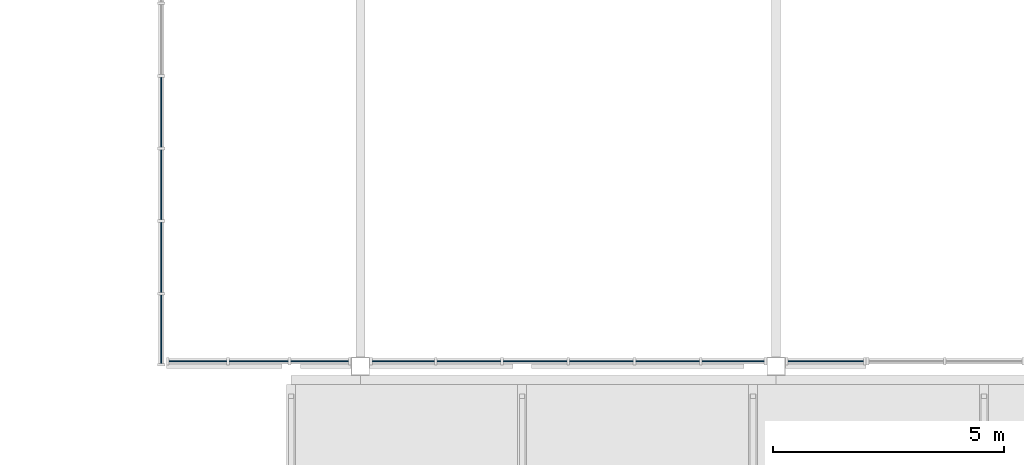
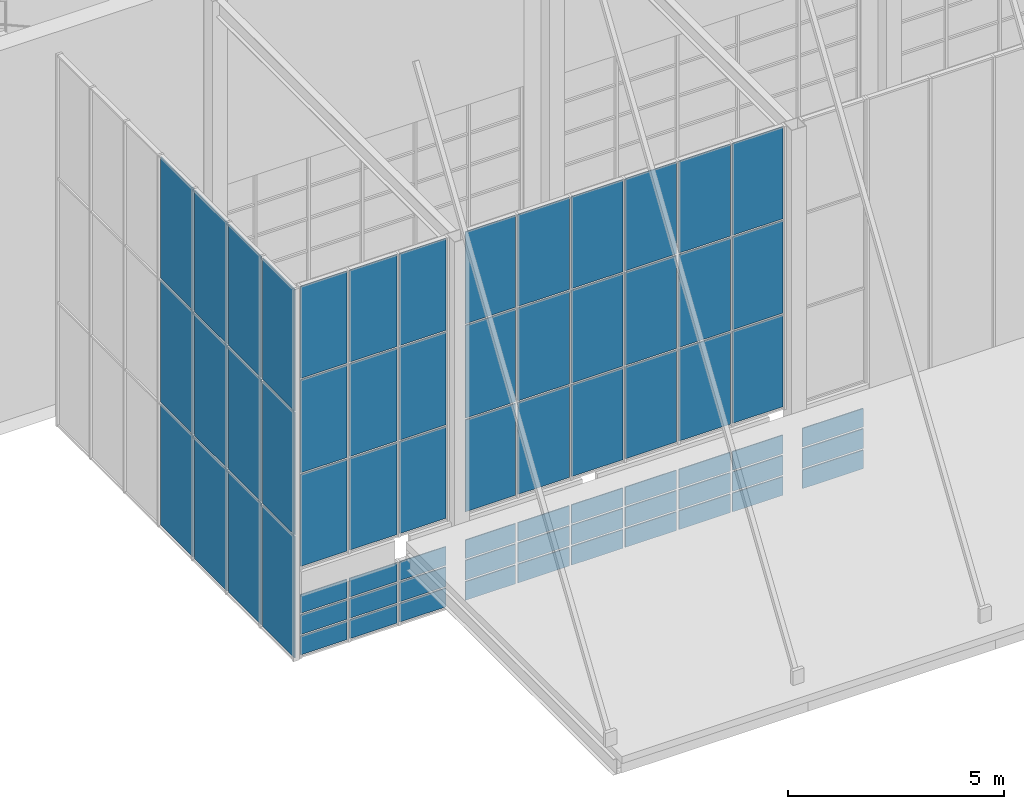
# One storey, part 65 of 182: 69 plates, 6 elements without a shape of their own.
"""IFC4 building model written with IfcOpenShell, lengths in metres."""

from ifc_helpers import new_model, si_unit, direction, frame, origin, origin_2d, place, context, subcontext, project, spatial, rectangle, extrude, material, layer, layer_set, type_object, element, aggregate, save


model = new_model("IFC4")

# Units and contexts
model_context = context("Model", 3, precision=1e-05, world=origin(), true_north=direction((0.0, 1.0)))
body_context = subcontext(model_context, "Body", "Model", "MODEL_VIEW")
ifc_project = project(units=[si_unit("LENGTHUNIT", "METRE"), si_unit("AREAUNIT", "SQUARE_METRE"), si_unit("VOLUMEUNIT", "CUBIC_METRE"), si_unit("PLANEANGLEUNIT", "RADIAN"), si_unit("MASSUNIT", "GRAM", prefix="KILO")], contexts=[model_context])

# Site, building, storey
site_placement = place(None, origin())
site = spatial("IfcSite", under=ifc_project, at=site_placement, CompositionType="ELEMENT")
building_placement = place(site_placement, origin())
building = spatial("IfcBuilding", under=site, at=building_placement, Name="Silverbay Arena", CompositionType="ELEMENT")
storey_placement = place(building_placement, frame((0.0, 0.0, 11.5)))
storey = spatial("IfcBuildingStorey", under=building, at=storey_placement, Name="L02", CompositionType="ELEMENT", Elevation=11.5)

# Curtain wall, plates
ifc_material_1 = material(Name="Aluminium framed curtain wall", Category="aluminium")
curtain_wall_type_1 = type_object("IfcCurtainWallType", Name="Curtain wall 8600 x 1800", PredefinedType="NOTDEFINED", material=ifc_material_1)
curtain_wall_1_placement = place(storey_placement, origin())
curtain_wall_1 = element("IfcCurtainWall", 1, at=curtain_wall_1_placement, inside=storey, type_object=curtain_wall_type_1, Name="South entrance hall S1 glazing F0", PredefinedType="NOTDEFINED")
ifc_material_2 = material(Name="Laminated glass", Category="glass")
ifc_layer = layer(ifc_material_2, 0.028076171875)
ifc_layer_set = layer_set([ifc_layer], Name="Laminated glass")
plate_type = type_object("IfcPlateType", Name="Glass panel 28", PredefinedType="CURTAIN_PANEL", material=ifc_layer_set)
plate_1_placement = place(storey_placement, frame((117.931640625, 5.860107421875, 0.050048828125), z_axis=(0.0, 0.0, 1.0), x_axis=(1.0, 0.0, 0.0)))
plate_1 = element("IfcPlate", 2, at=plate_1_placement, type_object=plate_type, Name="CW25 panel 1.1", PredefinedType="CURTAIN_PANEL", context=body_context, shape_type="SweptSolid", body=[
    extrude(rectangle(XDim=1.34326171875, YDim=0.028076171875, at=origin_2d()), origin(), (0.0, 0.0, 1.0), 0.52490234375),
])
plate_2_placement = place(storey_placement, frame((117.931640625, 5.860107421875, 0.625), z_axis=(0.0, 0.0, 1.0), x_axis=(1.0, 0.0, 0.0)))
plate_2 = element("IfcPlate", 3, at=plate_2_placement, type_object=plate_type, Name="CW25 panel 1.2", PredefinedType="CURTAIN_PANEL", context=body_context, shape_type="SweptSolid", body=[
    extrude(rectangle(XDim=1.34326171875, YDim=0.028076171875, at=origin_2d()), origin(), (0.0, 0.0, 1.0), 0.550048828125),
])
plate_3_placement = place(storey_placement, frame((117.931640625, 5.860107421875, 1.22509765625), z_axis=(0.0, 0.0, 1.0), x_axis=(1.0, 0.0, 0.0)))
plate_3 = element("IfcPlate", 4, at=plate_3_placement, type_object=plate_type, Name="CW25 panel 1.3", PredefinedType="CURTAIN_PANEL", context=body_context, shape_type="SweptSolid", body=[
    extrude(rectangle(XDim=1.34326171875, YDim=0.028076171875, at=origin_2d()), origin(), (0.0, 0.0, 1.0), 0.52490234375),
])
plate_4_placement = place(storey_placement, frame((119.35009765625, 5.860107421875, 0.050048828125), z_axis=(0.0, 0.0, 1.0), x_axis=(1.0, 0.0, 0.0)))
plate_4 = element("IfcPlate", 5, at=plate_4_placement, type_object=plate_type, Name="CW25 panel 2.1", PredefinedType="CURTAIN_PANEL", context=body_context, shape_type="SweptSolid", body=[
    extrude(rectangle(XDim=1.373291015625, YDim=0.028076171875, at=origin_2d()), origin(), (0.0, 0.0, 1.0), 0.52490234375),
])
plate_5_placement = place(storey_placement, frame((119.35009765625, 5.860107421875, 0.625), z_axis=(0.0, 0.0, 1.0), x_axis=(1.0, 0.0, 0.0)))
plate_5 = element("IfcPlate", 6, at=plate_5_placement, type_object=plate_type, Name="CW25 panel 2.2", PredefinedType="CURTAIN_PANEL", context=body_context, shape_type="SweptSolid", body=[
    extrude(rectangle(XDim=1.373291015625, YDim=0.028076171875, at=origin_2d()), origin(), (0.0, 0.0, 1.0), 0.550048828125),
])
plate_6_placement = place(storey_placement, frame((119.35009765625, 5.860107421875, 1.22509765625), z_axis=(0.0, 0.0, 1.0), x_axis=(1.0, 0.0, 0.0)))
plate_6 = element("IfcPlate", 7, at=plate_6_placement, type_object=plate_type, Name="CW25 panel 2.3", PredefinedType="CURTAIN_PANEL", context=body_context, shape_type="SweptSolid", body=[
    extrude(rectangle(XDim=1.373291015625, YDim=0.028076171875, at=origin_2d()), origin(), (0.0, 0.0, 1.0), 0.52490234375),
])
plate_7_placement = place(storey_placement, frame((120.783447265625, 5.860107421875, 0.050048828125), z_axis=(0.0, 0.0, 1.0), x_axis=(1.0, 0.0, 0.0)))
plate_7 = element("IfcPlate", 8, at=plate_7_placement, type_object=plate_type, Name="CW25 panel 3.1", PredefinedType="CURTAIN_PANEL", context=body_context, shape_type="SweptSolid", body=[
    extrude(rectangle(XDim=1.373291015625, YDim=0.028076171875, at=origin_2d()), origin(), (0.0, 0.0, 1.0), 0.52490234375),
])
plate_8_placement = place(storey_placement, frame((120.783447265625, 5.860107421875, 0.625), z_axis=(0.0, 0.0, 1.0), x_axis=(1.0, 0.0, 0.0)))
plate_8 = element("IfcPlate", 9, at=plate_8_placement, type_object=plate_type, Name="CW25 panel 3.2", PredefinedType="CURTAIN_PANEL", context=body_context, shape_type="SweptSolid", body=[
    extrude(rectangle(XDim=1.373291015625, YDim=0.028076171875, at=origin_2d()), origin(), (0.0, 0.0, 1.0), 0.550048828125),
])
plate_9_placement = place(storey_placement, frame((120.783447265625, 5.860107421875, 1.22509765625), z_axis=(0.0, 0.0, 1.0), x_axis=(1.0, 0.0, 0.0)))
plate_9 = element("IfcPlate", 10, at=plate_9_placement, type_object=plate_type, Name="CW25 panel 3.3", PredefinedType="CURTAIN_PANEL", context=body_context, shape_type="SweptSolid", body=[
    extrude(rectangle(XDim=1.373291015625, YDim=0.028076171875, at=origin_2d()), origin(), (0.0, 0.0, 1.0), 0.52490234375),
])
plate_10_placement = place(storey_placement, frame((122.216552734375, 5.860107421875, 0.050048828125), z_axis=(0.0, 0.0, 1.0), x_axis=(1.0, 0.0, 0.0)))
plate_10 = element("IfcPlate", 11, at=plate_10_placement, type_object=plate_type, Name="CW25 panel 4.1", PredefinedType="CURTAIN_PANEL", context=body_context, shape_type="SweptSolid", body=[
    extrude(rectangle(XDim=1.373291015625, YDim=0.028076171875, at=origin_2d()), origin(), (0.0, 0.0, 1.0), 0.52490234375),
])
plate_11_placement = place(storey_placement, frame((122.216552734375, 5.860107421875, 0.625), z_axis=(0.0, 0.0, 1.0), x_axis=(1.0, 0.0, 0.0)))
plate_11 = element("IfcPlate", 12, at=plate_11_placement, type_object=plate_type, Name="CW25 panel 4.2", PredefinedType="CURTAIN_PANEL", context=body_context, shape_type="SweptSolid", body=[
    extrude(rectangle(XDim=1.373291015625, YDim=0.028076171875, at=origin_2d()), origin(), (0.0, 0.0, 1.0), 0.550048828125),
])
plate_12_placement = place(storey_placement, frame((122.216552734375, 5.860107421875, 1.22509765625), z_axis=(0.0, 0.0, 1.0), x_axis=(1.0, 0.0, 0.0)))
plate_12 = element("IfcPlate", 13, at=plate_12_placement, type_object=plate_type, Name="CW25 panel 4.3", PredefinedType="CURTAIN_PANEL", context=body_context, shape_type="SweptSolid", body=[
    extrude(rectangle(XDim=1.373291015625, YDim=0.028076171875, at=origin_2d()), origin(), (0.0, 0.0, 1.0), 0.52490234375),
])
plate_13_placement = place(storey_placement, frame((123.64990234375, 5.860107421875, 0.050048828125), z_axis=(0.0, 0.0, 1.0), x_axis=(1.0, 0.0, 0.0)))
plate_13 = element("IfcPlate", 14, at=plate_13_placement, type_object=plate_type, Name="CW25 panel 5.1", PredefinedType="CURTAIN_PANEL", context=body_context, shape_type="SweptSolid", body=[
    extrude(rectangle(XDim=1.373291015625, YDim=0.028076171875, at=origin_2d()), origin(), (0.0, 0.0, 1.0), 0.52490234375),
])
plate_14_placement = place(storey_placement, frame((123.64990234375, 5.860107421875, 0.625), z_axis=(0.0, 0.0, 1.0), x_axis=(1.0, 0.0, 0.0)))
plate_14 = element("IfcPlate", 15, at=plate_14_placement, type_object=plate_type, Name="CW25 panel 5.2", PredefinedType="CURTAIN_PANEL", context=body_context, shape_type="SweptSolid", body=[
    extrude(rectangle(XDim=1.373291015625, YDim=0.028076171875, at=origin_2d()), origin(), (0.0, 0.0, 1.0), 0.550048828125),
])
plate_15_placement = place(storey_placement, frame((123.64990234375, 5.860107421875, 1.22509765625), z_axis=(0.0, 0.0, 1.0), x_axis=(1.0, 0.0, 0.0)))
plate_15 = element("IfcPlate", 16, at=plate_15_placement, type_object=plate_type, Name="CW25 panel 5.3", PredefinedType="CURTAIN_PANEL", context=body_context, shape_type="SweptSolid", body=[
    extrude(rectangle(XDim=1.373291015625, YDim=0.028076171875, at=origin_2d()), origin(), (0.0, 0.0, 1.0), 0.52490234375),
])
plate_16_placement = place(storey_placement, frame((125.068359375, 5.860107421875, 0.050048828125), z_axis=(0.0, 0.0, 1.0), x_axis=(1.0, 0.0, 0.0)))
plate_16 = element("IfcPlate", 17, at=plate_16_placement, type_object=plate_type, Name="CW25 panel 6.1", PredefinedType="CURTAIN_PANEL", context=body_context, shape_type="SweptSolid", body=[
    extrude(rectangle(XDim=1.34326171875, YDim=0.028076171875, at=origin_2d()), origin(), (0.0, 0.0, 1.0), 0.52490234375),
])
plate_17_placement = place(storey_placement, frame((125.068359375, 5.860107421875, 0.625), z_axis=(0.0, 0.0, 1.0), x_axis=(1.0, 0.0, 0.0)))
plate_17 = element("IfcPlate", 18, at=plate_17_placement, type_object=plate_type, Name="CW25 panel 6.2", PredefinedType="CURTAIN_PANEL", context=body_context, shape_type="SweptSolid", body=[
    extrude(rectangle(XDim=1.34326171875, YDim=0.028076171875, at=origin_2d()), origin(), (0.0, 0.0, 1.0), 0.550048828125),
])
plate_18_placement = place(storey_placement, frame((125.068359375, 5.860107421875, 1.22509765625), z_axis=(0.0, 0.0, 1.0), x_axis=(1.0, 0.0, 0.0)))
plate_18 = element("IfcPlate", 19, at=plate_18_placement, type_object=plate_type, Name="CW25 panel 6.3", PredefinedType="CURTAIN_PANEL", context=body_context, shape_type="SweptSolid", body=[
    extrude(rectangle(XDim=1.34326171875, YDim=0.028076171875, at=origin_2d()), origin(), (0.0, 0.0, 1.0), 0.52490234375),
])
aggregate(curtain_wall_1, [plate_1, plate_2, plate_3, plate_4, plate_5, plate_6, plate_7, plate_8, plate_9, plate_10, plate_11, plate_12, plate_13, plate_14, plate_15, plate_16, plate_17, plate_18])

ifc_material_3 = material(Name="Aluminium framed curtain wall", Category="aluminium")
curtain_wall_type_2 = type_object("IfcCurtainWallType", Name="Curtain wall 8600 x 8000", PredefinedType="NOTDEFINED", material=ifc_material_3)
curtain_wall_2_placement = place(storey_placement, origin())
curtain_wall_2 = element("IfcCurtainWall", 20, at=curtain_wall_2_placement, inside=storey, type_object=curtain_wall_type_2, Name="South entrance hall S1 glazing F0", PredefinedType="NOTDEFINED")
plate_19_placement = place(storey_placement, frame((117.931640625, 5.860107421875, 2.55029296875), z_axis=(0.0, 0.0, 1.0), x_axis=(1.0, 0.0, 0.0)))
plate_19 = element("IfcPlate", 21, at=plate_19_placement, type_object=plate_type, Name="CW26 panel 1.1", PredefinedType="CURTAIN_PANEL", context=body_context, shape_type="SweptSolid", body=[
    extrude(rectangle(XDim=1.34326171875, YDim=0.028076171875, at=origin_2d()), origin(), (0.0, 0.0, 1.0), 2.591552734375),
])
plate_20_placement = place(storey_placement, frame((117.931640625, 5.860107421875, 5.191650390625), z_axis=(0.0, 0.0, 1.0), x_axis=(1.0, 0.0, 0.0)))
plate_20 = element("IfcPlate", 22, at=plate_20_placement, type_object=plate_type, Name="CW26 panel 1.2", PredefinedType="CURTAIN_PANEL", context=body_context, shape_type="SweptSolid", body=[
    extrude(rectangle(XDim=1.34326171875, YDim=0.028076171875, at=origin_2d()), origin(), (0.0, 0.0, 1.0), 2.61669921875),
])
plate_21_placement = place(storey_placement, frame((117.931640625, 5.860107421875, 7.8583984375), z_axis=(0.0, 0.0, 1.0), x_axis=(1.0, 0.0, 0.0)))
plate_21 = element("IfcPlate", 23, at=plate_21_placement, type_object=plate_type, Name="CW26 panel 1.3", PredefinedType="CURTAIN_PANEL", context=body_context, shape_type="SweptSolid", body=[
    extrude(rectangle(XDim=1.34326171875, YDim=0.028076171875, at=origin_2d()), origin(), (0.0, 0.0, 1.0), 2.591552734375),
])
plate_22_placement = place(storey_placement, frame((119.35009765625, 5.860107421875, 2.55029296875), z_axis=(0.0, 0.0, 1.0), x_axis=(1.0, 0.0, 0.0)))
plate_22 = element("IfcPlate", 24, at=plate_22_placement, type_object=plate_type, Name="CW26 panel 2.1", PredefinedType="CURTAIN_PANEL", context=body_context, shape_type="SweptSolid", body=[
    extrude(rectangle(XDim=1.373291015625, YDim=0.028076171875, at=origin_2d()), origin(), (0.0, 0.0, 1.0), 2.591552734375),
])
plate_23_placement = place(storey_placement, frame((119.35009765625, 5.860107421875, 5.191650390625), z_axis=(0.0, 0.0, 1.0), x_axis=(1.0, 0.0, 0.0)))
plate_23 = element("IfcPlate", 25, at=plate_23_placement, type_object=plate_type, Name="CW26 panel 2.2", PredefinedType="CURTAIN_PANEL", context=body_context, shape_type="SweptSolid", body=[
    extrude(rectangle(XDim=1.373291015625, YDim=0.028076171875, at=origin_2d()), origin(), (0.0, 0.0, 1.0), 2.61669921875),
])
plate_24_placement = place(storey_placement, frame((119.35009765625, 5.860107421875, 7.8583984375), z_axis=(0.0, 0.0, 1.0), x_axis=(1.0, 0.0, 0.0)))
plate_24 = element("IfcPlate", 26, at=plate_24_placement, type_object=plate_type, Name="CW26 panel 2.3", PredefinedType="CURTAIN_PANEL", context=body_context, shape_type="SweptSolid", body=[
    extrude(rectangle(XDim=1.373291015625, YDim=0.028076171875, at=origin_2d()), origin(), (0.0, 0.0, 1.0), 2.591552734375),
])
plate_25_placement = place(storey_placement, frame((120.783447265625, 5.860107421875, 2.55029296875), z_axis=(0.0, 0.0, 1.0), x_axis=(1.0, 0.0, 0.0)))
plate_25 = element("IfcPlate", 27, at=plate_25_placement, type_object=plate_type, Name="CW26 panel 3.1", PredefinedType="CURTAIN_PANEL", context=body_context, shape_type="SweptSolid", body=[
    extrude(rectangle(XDim=1.373291015625, YDim=0.028076171875, at=origin_2d()), origin(), (0.0, 0.0, 1.0), 2.591552734375),
])
plate_26_placement = place(storey_placement, frame((120.783447265625, 5.860107421875, 5.191650390625), z_axis=(0.0, 0.0, 1.0), x_axis=(1.0, 0.0, 0.0)))
plate_26 = element("IfcPlate", 28, at=plate_26_placement, type_object=plate_type, Name="CW26 panel 3.2", PredefinedType="CURTAIN_PANEL", context=body_context, shape_type="SweptSolid", body=[
    extrude(rectangle(XDim=1.373291015625, YDim=0.028076171875, at=origin_2d()), origin(), (0.0, 0.0, 1.0), 2.61669921875),
])
plate_27_placement = place(storey_placement, frame((120.783447265625, 5.860107421875, 7.8583984375), z_axis=(0.0, 0.0, 1.0), x_axis=(1.0, 0.0, 0.0)))
plate_27 = element("IfcPlate", 29, at=plate_27_placement, type_object=plate_type, Name="CW26 panel 3.3", PredefinedType="CURTAIN_PANEL", context=body_context, shape_type="SweptSolid", body=[
    extrude(rectangle(XDim=1.373291015625, YDim=0.028076171875, at=origin_2d()), origin(), (0.0, 0.0, 1.0), 2.591552734375),
])
plate_28_placement = place(storey_placement, frame((122.216552734375, 5.860107421875, 2.55029296875), z_axis=(0.0, 0.0, 1.0), x_axis=(1.0, 0.0, 0.0)))
plate_28 = element("IfcPlate", 30, at=plate_28_placement, type_object=plate_type, Name="CW26 panel 4.1", PredefinedType="CURTAIN_PANEL", context=body_context, shape_type="SweptSolid", body=[
    extrude(rectangle(XDim=1.373291015625, YDim=0.028076171875, at=origin_2d()), origin(), (0.0, 0.0, 1.0), 2.591552734375),
])
plate_29_placement = place(storey_placement, frame((122.216552734375, 5.860107421875, 5.191650390625), z_axis=(0.0, 0.0, 1.0), x_axis=(1.0, 0.0, 0.0)))
plate_29 = element("IfcPlate", 31, at=plate_29_placement, type_object=plate_type, Name="CW26 panel 4.2", PredefinedType="CURTAIN_PANEL", context=body_context, shape_type="SweptSolid", body=[
    extrude(rectangle(XDim=1.373291015625, YDim=0.028076171875, at=origin_2d()), origin(), (0.0, 0.0, 1.0), 2.61669921875),
])
plate_30_placement = place(storey_placement, frame((122.216552734375, 5.860107421875, 7.8583984375), z_axis=(0.0, 0.0, 1.0), x_axis=(1.0, 0.0, 0.0)))
plate_30 = element("IfcPlate", 32, at=plate_30_placement, type_object=plate_type, Name="CW26 panel 4.3", PredefinedType="CURTAIN_PANEL", context=body_context, shape_type="SweptSolid", body=[
    extrude(rectangle(XDim=1.373291015625, YDim=0.028076171875, at=origin_2d()), origin(), (0.0, 0.0, 1.0), 2.591552734375),
])
plate_31_placement = place(storey_placement, frame((123.64990234375, 5.860107421875, 2.55029296875), z_axis=(0.0, 0.0, 1.0), x_axis=(1.0, 0.0, 0.0)))
plate_31 = element("IfcPlate", 33, at=plate_31_placement, type_object=plate_type, Name="CW26 panel 5.1", PredefinedType="CURTAIN_PANEL", context=body_context, shape_type="SweptSolid", body=[
    extrude(rectangle(XDim=1.373291015625, YDim=0.028076171875, at=origin_2d()), origin(), (0.0, 0.0, 1.0), 2.591552734375),
])
plate_32_placement = place(storey_placement, frame((123.64990234375, 5.860107421875, 5.191650390625), z_axis=(0.0, 0.0, 1.0), x_axis=(1.0, 0.0, 0.0)))
plate_32 = element("IfcPlate", 34, at=plate_32_placement, type_object=plate_type, Name="CW26 panel 5.2", PredefinedType="CURTAIN_PANEL", context=body_context, shape_type="SweptSolid", body=[
    extrude(rectangle(XDim=1.373291015625, YDim=0.028076171875, at=origin_2d()), origin(), (0.0, 0.0, 1.0), 2.61669921875),
])
plate_33_placement = place(storey_placement, frame((123.64990234375, 5.860107421875, 7.8583984375), z_axis=(0.0, 0.0, 1.0), x_axis=(1.0, 0.0, 0.0)))
plate_33 = element("IfcPlate", 35, at=plate_33_placement, type_object=plate_type, Name="CW26 panel 5.3", PredefinedType="CURTAIN_PANEL", context=body_context, shape_type="SweptSolid", body=[
    extrude(rectangle(XDim=1.373291015625, YDim=0.028076171875, at=origin_2d()), origin(), (0.0, 0.0, 1.0), 2.591552734375),
])
plate_34_placement = place(storey_placement, frame((125.068359375, 5.860107421875, 2.55029296875), z_axis=(0.0, 0.0, 1.0), x_axis=(1.0, 0.0, 0.0)))
plate_34 = element("IfcPlate", 36, at=plate_34_placement, type_object=plate_type, Name="CW26 panel 6.1", PredefinedType="CURTAIN_PANEL", context=body_context, shape_type="SweptSolid", body=[
    extrude(rectangle(XDim=1.34326171875, YDim=0.028076171875, at=origin_2d()), origin(), (0.0, 0.0, 1.0), 2.591552734375),
])
plate_35_placement = place(storey_placement, frame((125.068359375, 5.860107421875, 5.191650390625), z_axis=(0.0, 0.0, 1.0), x_axis=(1.0, 0.0, 0.0)))
plate_35 = element("IfcPlate", 37, at=plate_35_placement, type_object=plate_type, Name="CW26 panel 6.2", PredefinedType="CURTAIN_PANEL", context=body_context, shape_type="SweptSolid", body=[
    extrude(rectangle(XDim=1.34326171875, YDim=0.028076171875, at=origin_2d()), origin(), (0.0, 0.0, 1.0), 2.61669921875),
])
plate_36_placement = place(storey_placement, frame((125.068359375, 5.860107421875, 7.8583984375), z_axis=(0.0, 0.0, 1.0), x_axis=(1.0, 0.0, 0.0)))
plate_36 = element("IfcPlate", 38, at=plate_36_placement, type_object=plate_type, Name="CW26 panel 6.3", PredefinedType="CURTAIN_PANEL", context=body_context, shape_type="SweptSolid", body=[
    extrude(rectangle(XDim=1.34326171875, YDim=0.028076171875, at=origin_2d()), origin(), (0.0, 0.0, 1.0), 2.591552734375),
])
aggregate(curtain_wall_2, [plate_19, plate_20, plate_21, plate_22, plate_23, plate_24, plate_25, plate_26, plate_27, plate_28, plate_29, plate_30, plate_31, plate_32, plate_33, plate_34, plate_35, plate_36])

ifc_material_4 = material(Name="Aluminium framed curtain wall", Category="aluminium")
curtain_wall_type_3 = type_object("IfcCurtainWallType", Name="Curtain wall 1750 x 1800", PredefinedType="NOTDEFINED", material=ifc_material_4)
curtain_wall_3_placement = place(storey_placement, origin())
curtain_wall_3 = element("IfcCurtainWall", 39, at=curtain_wall_3_placement, inside=storey, type_object=curtain_wall_type_3, Name="South entrance hall S1 glazing F1a", PredefinedType="NOTDEFINED")
plate_37_placement = place(storey_placement, frame((127.074951171875, 5.860107421875, 0.050048828125), z_axis=(0.0, 0.0, 1.0), x_axis=(1.0, 0.0, 0.0)))
plate_37 = element("IfcPlate", 40, at=plate_37_placement, type_object=plate_type, Name="CW29 panel 1.1", PredefinedType="CURTAIN_PANEL", context=body_context, shape_type="SweptSolid", body=[
    extrude(rectangle(XDim=1.6298828125, YDim=0.028076171875, at=origin_2d()), origin(), (0.0, 0.0, 1.0), 0.52490234375),
])
plate_38_placement = place(storey_placement, frame((127.074951171875, 5.860107421875, 0.625), z_axis=(0.0, 0.0, 1.0), x_axis=(1.0, 0.0, 0.0)))
plate_38 = element("IfcPlate", 41, at=plate_38_placement, type_object=plate_type, Name="CW29 panel 1.2", PredefinedType="CURTAIN_PANEL", context=body_context, shape_type="SweptSolid", body=[
    extrude(rectangle(XDim=1.6298828125, YDim=0.028076171875, at=origin_2d()), origin(), (0.0, 0.0, 1.0), 0.550048828125),
])
plate_39_placement = place(storey_placement, frame((127.074951171875, 5.860107421875, 1.22509765625), z_axis=(0.0, 0.0, 1.0), x_axis=(1.0, 0.0, 0.0)))
plate_39 = element("IfcPlate", 42, at=plate_39_placement, type_object=plate_type, Name="CW29 panel 1.3", PredefinedType="CURTAIN_PANEL", context=body_context, shape_type="SweptSolid", body=[
    extrude(rectangle(XDim=1.6298828125, YDim=0.028076171875, at=origin_2d()), origin(), (0.0, 0.0, 1.0), 0.52490234375),
])
aggregate(curtain_wall_3, [plate_37, plate_38, plate_39])

ifc_material_5 = material(Name="Aluminium framed curtain wall", Category="aluminium")
curtain_wall_type_4 = type_object("IfcCurtainWallType", Name="Curtain wall 4000 x 1800", PredefinedType="NOTDEFINED", material=ifc_material_5)
curtain_wall_4_placement = place(storey_placement, origin())
curtain_wall_4 = element("IfcCurtainWall", 43, at=curtain_wall_4_placement, inside=storey, type_object=curtain_wall_type_4, Name="South entrance hall S1 glazing F-a", PredefinedType="NOTDEFINED")
plate_40_placement = place(storey_placement, frame((113.481689453125, 5.860107421875, 0.050048828125), z_axis=(0.0, 0.0, 1.0), x_axis=(1.0, 0.0, 0.0)))
plate_40 = element("IfcPlate", 44, at=plate_40_placement, type_object=plate_type, Name="CW33 panel 1.1", PredefinedType="CURTAIN_PANEL", context=body_context, shape_type="SweptSolid", body=[
    extrude(rectangle(XDim=1.243408203125, YDim=0.028076171875, at=origin_2d()), origin(), (0.0, 0.0, 1.0), 0.52490234375),
])
plate_41_placement = place(storey_placement, frame((113.481689453125, 5.860107421875, 0.625), z_axis=(0.0, 0.0, 1.0), x_axis=(1.0, 0.0, 0.0)))
plate_41 = element("IfcPlate", 45, at=plate_41_placement, type_object=plate_type, Name="CW33 panel 1.2", PredefinedType="CURTAIN_PANEL", context=body_context, shape_type="SweptSolid", body=[
    extrude(rectangle(XDim=1.243408203125, YDim=0.028076171875, at=origin_2d()), origin(), (0.0, 0.0, 1.0), 0.550048828125),
])
plate_42_placement = place(storey_placement, frame((113.481689453125, 5.860107421875, 1.22509765625), z_axis=(0.0, 0.0, 1.0), x_axis=(1.0, 0.0, 0.0)))
plate_42 = element("IfcPlate", 46, at=plate_42_placement, type_object=plate_type, Name="CW33 panel 1.3", PredefinedType="CURTAIN_PANEL", context=body_context, shape_type="SweptSolid", body=[
    extrude(rectangle(XDim=1.243408203125, YDim=0.028076171875, at=origin_2d()), origin(), (0.0, 0.0, 1.0), 0.52490234375),
])
plate_43_placement = place(storey_placement, frame((114.800048828125, 5.860107421875, 0.050048828125), z_axis=(0.0, 0.0, 1.0), x_axis=(1.0, 0.0, 0.0)))
plate_43 = element("IfcPlate", 47, at=plate_43_placement, type_object=plate_type, Name="CW33 panel 2.1", PredefinedType="CURTAIN_PANEL", context=body_context, shape_type="SweptSolid", body=[
    extrude(rectangle(XDim=1.2734375, YDim=0.028076171875, at=origin_2d()), origin(), (0.0, 0.0, 1.0), 0.52490234375),
])
plate_44_placement = place(storey_placement, frame((114.800048828125, 5.860107421875, 0.625), z_axis=(0.0, 0.0, 1.0), x_axis=(1.0, 0.0, 0.0)))
plate_44 = element("IfcPlate", 48, at=plate_44_placement, type_object=plate_type, Name="CW33 panel 2.2", PredefinedType="CURTAIN_PANEL", context=body_context, shape_type="SweptSolid", body=[
    extrude(rectangle(XDim=1.2734375, YDim=0.028076171875, at=origin_2d()), origin(), (0.0, 0.0, 1.0), 0.550048828125),
])
plate_45_placement = place(storey_placement, frame((114.800048828125, 5.860107421875, 1.22509765625), z_axis=(0.0, 0.0, 1.0), x_axis=(1.0, 0.0, 0.0)))
plate_45 = element("IfcPlate", 49, at=plate_45_placement, type_object=plate_type, Name="CW33 panel 2.3", PredefinedType="CURTAIN_PANEL", context=body_context, shape_type="SweptSolid", body=[
    extrude(rectangle(XDim=1.2734375, YDim=0.028076171875, at=origin_2d()), origin(), (0.0, 0.0, 1.0), 0.52490234375),
])
plate_46_placement = place(storey_placement, frame((116.118408203125, 5.860107421875, 0.050048828125), z_axis=(0.0, 0.0, 1.0), x_axis=(1.0, 0.0, 0.0)))
plate_46 = element("IfcPlate", 50, at=plate_46_placement, type_object=plate_type, Name="CW33 panel 3.1", PredefinedType="CURTAIN_PANEL", context=body_context, shape_type="SweptSolid", body=[
    extrude(rectangle(XDim=1.243408203125, YDim=0.028076171875, at=origin_2d()), origin(), (0.0, 0.0, 1.0), 0.52490234375),
])
plate_47_placement = place(storey_placement, frame((116.118408203125, 5.860107421875, 0.625), z_axis=(0.0, 0.0, 1.0), x_axis=(1.0, 0.0, 0.0)))
plate_47 = element("IfcPlate", 51, at=plate_47_placement, type_object=plate_type, Name="CW33 panel 3.2", PredefinedType="CURTAIN_PANEL", context=body_context, shape_type="SweptSolid", body=[
    extrude(rectangle(XDim=1.243408203125, YDim=0.028076171875, at=origin_2d()), origin(), (0.0, 0.0, 1.0), 0.550048828125),
])
plate_48_placement = place(storey_placement, frame((116.118408203125, 5.860107421875, 1.22509765625), z_axis=(0.0, 0.0, 1.0), x_axis=(1.0, 0.0, 0.0)))
plate_48 = element("IfcPlate", 52, at=plate_48_placement, type_object=plate_type, Name="CW33 panel 3.3", PredefinedType="CURTAIN_PANEL", context=body_context, shape_type="SweptSolid", body=[
    extrude(rectangle(XDim=1.243408203125, YDim=0.028076171875, at=origin_2d()), origin(), (0.0, 0.0, 1.0), 0.52490234375),
])
aggregate(curtain_wall_4, [plate_40, plate_41, plate_42, plate_43, plate_44, plate_45, plate_46, plate_47, plate_48])

ifc_material_6 = material(Name="Aluminium framed curtain wall", Category="aluminium")
curtain_wall_type_5 = type_object("IfcCurtainWallType", Name="Curtain wall 4000 x 8000", PredefinedType="NOTDEFINED", material=ifc_material_6)
curtain_wall_5_placement = place(storey_placement, origin())
curtain_wall_5 = element("IfcCurtainWall", 53, at=curtain_wall_5_placement, inside=storey, type_object=curtain_wall_type_5, Name="South entrance hall S1 glazing F-a", PredefinedType="NOTDEFINED")
plate_49_placement = place(storey_placement, frame((113.481689453125, 5.860107421875, 2.55029296875), z_axis=(0.0, 0.0, 1.0), x_axis=(1.0, 0.0, 0.0)))
plate_49 = element("IfcPlate", 54, at=plate_49_placement, type_object=plate_type, Name="CW34 panel 1.1", PredefinedType="CURTAIN_PANEL", context=body_context, shape_type="SweptSolid", body=[
    extrude(rectangle(XDim=1.243408203125, YDim=0.028076171875, at=origin_2d()), origin(), (0.0, 0.0, 1.0), 2.591552734375),
])
plate_50_placement = place(storey_placement, frame((113.481689453125, 5.860107421875, 5.191650390625), z_axis=(0.0, 0.0, 1.0), x_axis=(1.0, 0.0, 0.0)))
plate_50 = element("IfcPlate", 55, at=plate_50_placement, type_object=plate_type, Name="CW34 panel 1.2", PredefinedType="CURTAIN_PANEL", context=body_context, shape_type="SweptSolid", body=[
    extrude(rectangle(XDim=1.243408203125, YDim=0.028076171875, at=origin_2d()), origin(), (0.0, 0.0, 1.0), 2.61669921875),
])
plate_51_placement = place(storey_placement, frame((113.481689453125, 5.860107421875, 7.8583984375), z_axis=(0.0, 0.0, 1.0), x_axis=(1.0, 0.0, 0.0)))
plate_51 = element("IfcPlate", 56, at=plate_51_placement, type_object=plate_type, Name="CW34 panel 1.3", PredefinedType="CURTAIN_PANEL", context=body_context, shape_type="SweptSolid", body=[
    extrude(rectangle(XDim=1.243408203125, YDim=0.028076171875, at=origin_2d()), origin(), (0.0, 0.0, 1.0), 2.591552734375),
])
plate_52_placement = place(storey_placement, frame((114.800048828125, 5.860107421875, 2.55029296875), z_axis=(0.0, 0.0, 1.0), x_axis=(1.0, 0.0, 0.0)))
plate_52 = element("IfcPlate", 57, at=plate_52_placement, type_object=plate_type, Name="CW34 panel 2.1", PredefinedType="CURTAIN_PANEL", context=body_context, shape_type="SweptSolid", body=[
    extrude(rectangle(XDim=1.2734375, YDim=0.028076171875, at=origin_2d()), origin(), (0.0, 0.0, 1.0), 2.591552734375),
])
plate_53_placement = place(storey_placement, frame((114.800048828125, 5.860107421875, 5.191650390625), z_axis=(0.0, 0.0, 1.0), x_axis=(1.0, 0.0, 0.0)))
plate_53 = element("IfcPlate", 58, at=plate_53_placement, type_object=plate_type, Name="CW34 panel 2.2", PredefinedType="CURTAIN_PANEL", context=body_context, shape_type="SweptSolid", body=[
    extrude(rectangle(XDim=1.2734375, YDim=0.028076171875, at=origin_2d()), origin(), (0.0, 0.0, 1.0), 2.61669921875),
])
plate_54_placement = place(storey_placement, frame((114.800048828125, 5.860107421875, 7.8583984375), z_axis=(0.0, 0.0, 1.0), x_axis=(1.0, 0.0, 0.0)))
plate_54 = element("IfcPlate", 59, at=plate_54_placement, type_object=plate_type, Name="CW34 panel 2.3", PredefinedType="CURTAIN_PANEL", context=body_context, shape_type="SweptSolid", body=[
    extrude(rectangle(XDim=1.2734375, YDim=0.028076171875, at=origin_2d()), origin(), (0.0, 0.0, 1.0), 2.591552734375),
])
plate_55_placement = place(storey_placement, frame((116.118408203125, 5.860107421875, 2.55029296875), z_axis=(0.0, 0.0, 1.0), x_axis=(1.0, 0.0, 0.0)))
plate_55 = element("IfcPlate", 60, at=plate_55_placement, type_object=plate_type, Name="CW34 panel 3.1", PredefinedType="CURTAIN_PANEL", context=body_context, shape_type="SweptSolid", body=[
    extrude(rectangle(XDim=1.243408203125, YDim=0.028076171875, at=origin_2d()), origin(), (0.0, 0.0, 1.0), 2.591552734375),
])
plate_56_placement = place(storey_placement, frame((116.118408203125, 5.860107421875, 5.191650390625), z_axis=(0.0, 0.0, 1.0), x_axis=(1.0, 0.0, 0.0)))
plate_56 = element("IfcPlate", 61, at=plate_56_placement, type_object=plate_type, Name="CW34 panel 3.2", PredefinedType="CURTAIN_PANEL", context=body_context, shape_type="SweptSolid", body=[
    extrude(rectangle(XDim=1.243408203125, YDim=0.028076171875, at=origin_2d()), origin(), (0.0, 0.0, 1.0), 2.61669921875),
])
plate_57_placement = place(storey_placement, frame((116.118408203125, 5.860107421875, 7.8583984375), z_axis=(0.0, 0.0, 1.0), x_axis=(1.0, 0.0, 0.0)))
plate_57 = element("IfcPlate", 62, at=plate_57_placement, type_object=plate_type, Name="CW34 panel 3.3", PredefinedType="CURTAIN_PANEL", context=body_context, shape_type="SweptSolid", body=[
    extrude(rectangle(XDim=1.243408203125, YDim=0.028076171875, at=origin_2d()), origin(), (0.0, 0.0, 1.0), 2.591552734375),
])
aggregate(curtain_wall_5, [plate_49, plate_50, plate_51, plate_52, plate_53, plate_54, plate_55, plate_56, plate_57])

ifc_material_7 = material(Name="Aluminium framed curtain wall", Category="aluminium")
curtain_wall_type_6 = type_object("IfcCurtainWallType", Name="Curtain wall 11000 x 10500", PredefinedType="NOTDEFINED", material=ifc_material_7)
curtain_wall_6_placement = place(storey_placement, origin())
curtain_wall_6 = element("IfcCurtainWall", 63, at=curtain_wall_6_placement, inside=storey, type_object=curtain_wall_type_6, Name="South entrance hall S1 glazing SA", PredefinedType="NOTDEFINED")
plate_58_placement = place(storey_placement, frame((112.68994140625, 6.55078125, 0.0498046875), z_axis=(0.0, 0.0, 1.0), x_axis=(0.0, 1.0, 0.0)))
plate_58 = element("IfcPlate", 64, at=plate_58_placement, type_object=plate_type, Name="CW37 panel 1.1", PredefinedType="CURTAIN_PANEL", context=body_context, shape_type="SweptSolid", body=[
    extrude(rectangle(XDim=1.4814453125, YDim=0.028076171875, at=origin_2d()), origin(), (0.0, 0.0, 1.0), 3.425048828125),
])
plate_59_placement = place(storey_placement, frame((112.68994140625, 6.55078125, 3.52490234375), z_axis=(0.0, 0.0, 1.0), x_axis=(0.0, 1.0, 0.0)))
plate_59 = element("IfcPlate", 65, at=plate_59_placement, type_object=plate_type, Name="CW37 panel 1.2", PredefinedType="CURTAIN_PANEL", context=body_context, shape_type="SweptSolid", body=[
    extrude(rectangle(XDim=1.4814453125, YDim=0.028076171875, at=origin_2d()), origin(), (0.0, 0.0, 1.0), 3.449951171875),
])
plate_60_placement = place(storey_placement, frame((112.68994140625, 6.55078125, 7.02490234375), z_axis=(0.0, 0.0, 1.0), x_axis=(0.0, 1.0, 0.0)))
plate_60 = element("IfcPlate", 66, at=plate_60_placement, type_object=plate_type, Name="CW37 panel 1.3", PredefinedType="CURTAIN_PANEL", context=body_context, shape_type="SweptSolid", body=[
    extrude(rectangle(XDim=1.4814453125, YDim=0.028076171875, at=origin_2d()), origin(), (0.0, 0.0, 1.0), 3.425048828125),
])
plate_61_placement = place(storey_placement, frame((112.68994140625, 8.107177734375, 0.0498046875), z_axis=(0.0, 0.0, 1.0), x_axis=(0.0, 1.0, 0.0)))
plate_61 = element("IfcPlate", 67, at=plate_61_placement, type_object=plate_type, Name="CW37 panel 2.1", PredefinedType="CURTAIN_PANEL", context=body_context, shape_type="SweptSolid", body=[
    extrude(rectangle(XDim=1.511474609375, YDim=0.028076171875, at=origin_2d()), origin(), (0.0, 0.0, 1.0), 3.425048828125),
])
plate_62_placement = place(storey_placement, frame((112.68994140625, 8.107177734375, 3.52490234375), z_axis=(0.0, 0.0, 1.0), x_axis=(0.0, 1.0, 0.0)))
plate_62 = element("IfcPlate", 68, at=plate_62_placement, type_object=plate_type, Name="CW37 panel 2.2", PredefinedType="CURTAIN_PANEL", context=body_context, shape_type="SweptSolid", body=[
    extrude(rectangle(XDim=1.511474609375, YDim=0.028076171875, at=origin_2d()), origin(), (0.0, 0.0, 1.0), 3.449951171875),
])
plate_63_placement = place(storey_placement, frame((112.68994140625, 8.107177734375, 7.02490234375), z_axis=(0.0, 0.0, 1.0), x_axis=(0.0, 1.0, 0.0)))
plate_63 = element("IfcPlate", 69, at=plate_63_placement, type_object=plate_type, Name="CW37 panel 2.3", PredefinedType="CURTAIN_PANEL", context=body_context, shape_type="SweptSolid", body=[
    extrude(rectangle(XDim=1.511474609375, YDim=0.028076171875, at=origin_2d()), origin(), (0.0, 0.0, 1.0), 3.425048828125),
])
plate_64_placement = place(storey_placement, frame((112.68994140625, 9.678466796875, 0.0498046875), z_axis=(0.0, 0.0, 1.0), x_axis=(0.0, 1.0, 0.0)))
plate_64 = element("IfcPlate", 70, at=plate_64_placement, type_object=plate_type, Name="CW37 panel 3.1", PredefinedType="CURTAIN_PANEL", context=body_context, shape_type="SweptSolid", body=[
    extrude(rectangle(XDim=1.511474609375, YDim=0.028076171875, at=origin_2d()), origin(), (0.0, 0.0, 1.0), 3.425048828125),
])
plate_65_placement = place(storey_placement, frame((112.68994140625, 9.678466796875, 3.52490234375), z_axis=(0.0, 0.0, 1.0), x_axis=(0.0, 1.0, 0.0)))
plate_65 = element("IfcPlate", 71, at=plate_65_placement, type_object=plate_type, Name="CW37 panel 3.2", PredefinedType="CURTAIN_PANEL", context=body_context, shape_type="SweptSolid", body=[
    extrude(rectangle(XDim=1.511474609375, YDim=0.028076171875, at=origin_2d()), origin(), (0.0, 0.0, 1.0), 3.449951171875),
])
plate_66_placement = place(storey_placement, frame((112.68994140625, 9.678466796875, 7.02490234375), z_axis=(0.0, 0.0, 1.0), x_axis=(0.0, 1.0, 0.0)))
plate_66 = element("IfcPlate", 72, at=plate_66_placement, type_object=plate_type, Name="CW37 panel 3.3", PredefinedType="CURTAIN_PANEL", context=body_context, shape_type="SweptSolid", body=[
    extrude(rectangle(XDim=1.511474609375, YDim=0.028076171875, at=origin_2d()), origin(), (0.0, 0.0, 1.0), 3.425048828125),
])
plate_67_placement = place(storey_placement, frame((112.68994140625, 11.25, 0.0498046875), z_axis=(0.0, 0.0, 1.0), x_axis=(0.0, 1.0, 0.0)))
plate_67 = element("IfcPlate", 73, at=plate_67_placement, type_object=plate_type, Name="CW37 panel 4.1", PredefinedType="CURTAIN_PANEL", context=body_context, shape_type="SweptSolid", body=[
    extrude(rectangle(XDim=1.511474609375, YDim=0.028076171875, at=origin_2d()), origin(), (0.0, 0.0, 1.0), 3.425048828125),
])
plate_68_placement = place(storey_placement, frame((112.68994140625, 11.25, 3.52490234375), z_axis=(0.0, 0.0, 1.0), x_axis=(0.0, 1.0, 0.0)))
plate_68 = element("IfcPlate", 74, at=plate_68_placement, type_object=plate_type, Name="CW37 panel 4.2", PredefinedType="CURTAIN_PANEL", context=body_context, shape_type="SweptSolid", body=[
    extrude(rectangle(XDim=1.511474609375, YDim=0.028076171875, at=origin_2d()), origin(), (0.0, 0.0, 1.0), 3.449951171875),
])
plate_69_placement = place(storey_placement, frame((112.68994140625, 11.25, 7.02490234375), z_axis=(0.0, 0.0, 1.0), x_axis=(0.0, 1.0, 0.0)))
plate_69 = element("IfcPlate", 75, at=plate_69_placement, type_object=plate_type, Name="CW37 panel 4.3", PredefinedType="CURTAIN_PANEL", context=body_context, shape_type="SweptSolid", body=[
    extrude(rectangle(XDim=1.511474609375, YDim=0.028076171875, at=origin_2d()), origin(), (0.0, 0.0, 1.0), 3.425048828125),
])
aggregate(curtain_wall_6, [plate_58, plate_59, plate_60, plate_61, plate_62, plate_63, plate_64, plate_65, plate_66, plate_67, plate_68, plate_69])

save(model, "model.ifc")
